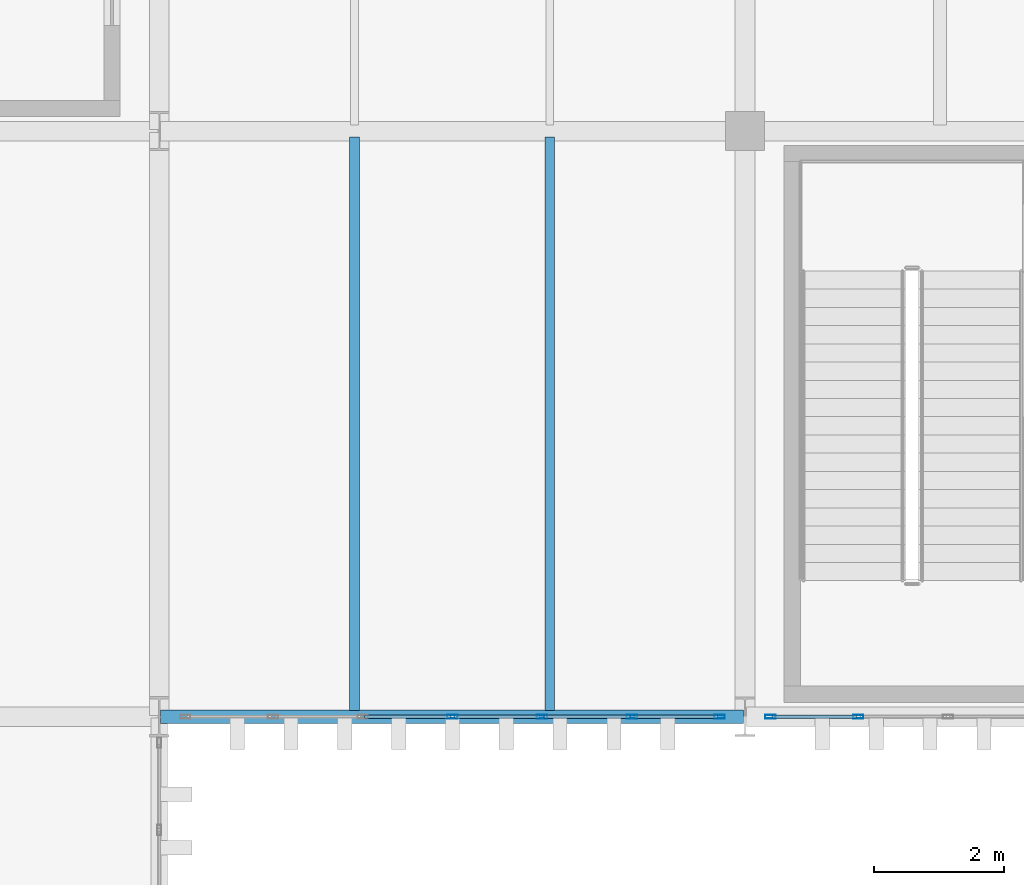
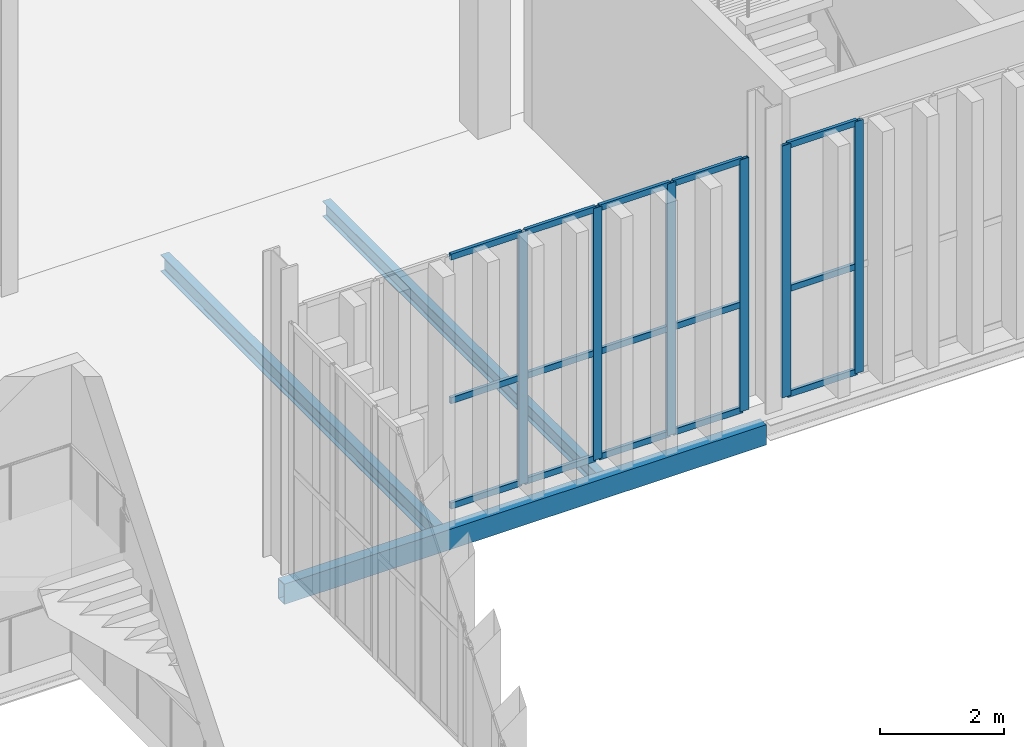
# One storey, part 112 of 211: 21 members, 3 beams, 2 elements without a shape of their own.
"""IFC4 building model written with IfcOpenShell, lengths in metres."""

import ifcopenshell
import ifcopenshell.guid

model = None  # the IFC model being written
_history = None  # IfcOwnerHistory: only IFC2X3 demands one
_inside = {}  # id of a spatial element -> (the spatial element, [elements in it])
_under = {}  # id of a project, library or spatial element -> (it, [spatial elements below it])
_declared = {}  # id of a project -> (the project, [libraries it declares])
_typed = {}  # id of a type object -> (the type object, [elements of that type])
_made_of = {}  # id of a material, layer set ... -> (it, [elements and type objects made of it])


def new_model(schema):
    """Start an empty IFC model of exactly this schema.

    Asked for "IFC4X3", IfcOpenShell would pick the latest addendum, in which some entities
    have other attributes; the version numbers below select the first issue.
    IFC2X3 requires an IfcOwnerHistory on every rooted entity: one is made here for all.
    """
    global model, _history
    if schema == "IFC4X3":
        model = ifcopenshell.file(schema_version=(4, 3, 0, 0))
    else:
        model = ifcopenshell.file(schema=schema)
    _inside.clear()
    _under.clear()
    _declared.clear()
    _typed.clear()
    _made_of.clear()
    _history = None
    if model.schema == "IFC2X3":
        org = make("IfcOrganization", Name="unknown")
        user = make(
            "IfcPersonAndOrganization",
            ThePerson=make("IfcPerson", FamilyName="unknown"),
            TheOrganization=org,
        )
        app = make(
            "IfcApplication",
            ApplicationDeveloper=org,
            Version="unknown",
            ApplicationFullName="unknown",
            ApplicationIdentifier="unknown",
        )
        _history = make(
            "IfcOwnerHistory",
            OwningUser=user,
            OwningApplication=app,
            ChangeAction="ADDED",
            CreationDate=0,
        )
    return model


def make(cls, **values):
    """One entity of the class cls with the attributes given. An attribute that is None is left unset."""
    return model.create_entity(
        cls, **{name: value for name, value in values.items() if value is not None}
    )


def rooted(cls, **values):
    """An entity with a GlobalId (a new one), such as an element, a storey or a relation."""
    return make(cls, GlobalId=ifcopenshell.guid.new(), OwnerHistory=_history, **values)


def si_unit(unit_type, name, prefix=None):
    """IfcSIUnit, for example si_unit("LENGTHUNIT", "METRE", prefix="MILLI")."""
    return make("IfcSIUnit", UnitType=unit_type, Prefix=prefix, Name=name)


def assignment(units):
    """IfcUnitAssignment: the units of a project."""
    return None if units is None else make("IfcUnitAssignment", Units=units)


def point(xyz):
    """IfcCartesianPoint."""
    return None if xyz is None else make("IfcCartesianPoint", Coordinates=xyz)


def direction(xyz):
    """IfcDirection."""
    return None if xyz is None else make("IfcDirection", DirectionRatios=xyz)


def frame(location, z_axis=None, x_axis=None):
    """IfcAxis2Placement3D, a coordinate frame: its origin and axes. An axis left out is left unset."""
    return make(
        "IfcAxis2Placement3D",
        Location=point(location),
        Axis=direction(z_axis),
        RefDirection=direction(x_axis),
    )


def frame_2d(location, x_axis=None):
    """IfcAxis2Placement2D, a coordinate frame in the plane: its origin and x axis."""
    return make(
        "IfcAxis2Placement2D", Location=point(location), RefDirection=direction(x_axis)
    )


def origin():
    """The frame at (0, 0, 0) with its axes left unset."""
    return frame((0.0, 0.0, 0.0))


def origin_2d():
    """The frame at (0, 0) in the plane with its x axis left unset."""
    return frame_2d((0.0, 0.0))


def place(relative_to, where):
    """IfcLocalPlacement: puts the frame where relative to a parent placement (None: the world)."""
    return make(
        "IfcLocalPlacement", PlacementRelTo=relative_to, RelativePlacement=where
    )


def context(
    kind, dimensions, precision=None, world=None, true_north=None, identifier=None
):
    """IfcGeometricRepresentationContext, for example the 3D "Model" context."""
    return make(
        "IfcGeometricRepresentationContext",
        ContextIdentifier=identifier,
        ContextType=kind,
        CoordinateSpaceDimension=dimensions,
        Precision=precision,
        WorldCoordinateSystem=world,
        TrueNorth=true_north,
    )


def subcontext(parent, identifier, kind, view, scale=None):
    """IfcGeometricRepresentationSubContext, for example "Body" below "Model"."""
    return make(
        "IfcGeometricRepresentationSubContext",
        ContextIdentifier=identifier,
        ContextType=kind,
        ParentContext=parent,
        TargetScale=scale,
        TargetView=view,
    )


def project(units=None, contexts=None):
    """IfcProject with its units and contexts."""
    return rooted(
        "IfcProject",
        Name="project",
        RepresentationContexts=contexts,
        UnitsInContext=assignment(units),
    )


def spatial(cls, under=None, at=None, **own):
    """A site, building, storey or space (cls), placed at a placement, below another one or the project."""
    s = rooted(cls, ObjectPlacement=at, **own)
    if under is not None:
        _under.setdefault(under.id(), (under, []))[1].append(s)
    return s


def profile(cls, at=None, kind="AREA", **sizes):
    """A parametric profile (cls). Its sizes go by their IFC names, for example OverallWidth=200.0."""
    return make(cls, ProfileType=kind, Position=at, **sizes)


def hollow_rectangle(**sizes):
    """IfcRectangleHollowProfileDef."""
    return profile("IfcRectangleHollowProfileDef", **sizes)


def i_section(**sizes):
    """IfcIShapeProfileDef."""
    return profile("IfcIShapeProfileDef", **sizes)


def extrude(swept, where, along, depth):
    """IfcExtrudedAreaSolid: the profile swept, set in the frame where, extruded along a direction by depth."""
    return make(
        "IfcExtrudedAreaSolid",
        SweptArea=swept,
        Position=where,
        ExtrudedDirection=direction(along),
        Depth=depth,
    )


def shape(context_of_items, identifier, shape_type, items):
    """IfcShapeRepresentation: the items that make up one representation, for example the "Body"."""
    return make(
        "IfcShapeRepresentation",
        ContextOfItems=context_of_items,
        RepresentationIdentifier=identifier,
        RepresentationType=shape_type,
        Items=items,
    )


def material(Name=None, Category=None):
    """IfcMaterial."""
    return make("IfcMaterial", Name=Name, Category=Category)


def layer(
    of_material, thickness, ventilated=None, Name=None, Category=None, Priority=None
):
    """IfcMaterialLayer: one layer of a wall or slab, of a material (None: an air gap)."""
    return make(
        "IfcMaterialLayer",
        Material=of_material,
        LayerThickness=thickness,
        IsVentilated=ventilated,
        Name=Name,
        Category=Category,
        Priority=Priority,
    )


def layer_set(layers, Name=None):
    """IfcMaterialLayerSet."""
    return make("IfcMaterialLayerSet", MaterialLayers=layers, LayerSetName=Name)


def material_profile(
    of_material, cross_section, Name=None, Category=None, Priority=None
):
    """IfcMaterialProfile: a cross section and its material."""
    return make(
        "IfcMaterialProfile",
        Name=Name,
        Material=of_material,
        Profile=cross_section,
        Priority=Priority,
        Category=Category,
    )


def profile_set(profiles, Name=None, composite=None):
    """IfcMaterialProfileSet."""
    return make(
        "IfcMaterialProfileSet",
        Name=Name,
        MaterialProfiles=profiles,
        CompositeProfile=composite,
    )


def made_of(thing, what):
    """Note that an element or type object is made of a material, layer set ...; save() writes the relation."""
    if what is not None:
        _made_of.setdefault(what.id(), (what, []))[1].append(thing)
    return thing


def type_object(cls, material=None, **own):
    """A type object (cls), such as IfcWallType, which elements share."""
    return made_of(rooted(cls, **own), material)


def element(
    cls,
    number,
    at=None,
    inside=None,
    cuts=None,
    type_object=None,
    material=None,
    context=None,
    identifier="Body",
    shape_type=None,
    held_by="IfcProductDefinitionShape",
    body=None,
    shapes=None,
    **own,
):
    """One element of the class cls, such as IfcWall. Its Tag is "e" and its number.

    at: its placement. inside: the storey or other place that contains it. cuts: it is an
    opening in that element (IfcRelVoidsElement). A single representation is given by context,
    identifier, shape_type and body (its items); several are given by shapes. held_by: the class
    of the entity that holds the representations. save() writes the other relations.
    """
    e = rooted(cls, Tag="e%d" % number, ObjectPlacement=at, **own)
    if body is not None:
        shapes = [shape(context, identifier, shape_type, body)]
    if shapes is not None:
        e.Representation = make(held_by, Representations=shapes)
    if inside is not None:
        _inside.setdefault(inside.id(), (inside, []))[1].append(e)
    if cuts is not None:
        rooted(
            "IfcRelVoidsElement", RelatingBuildingElement=cuts, RelatedOpeningElement=e
        )
    if type_object is not None:
        _typed.setdefault(type_object.id(), (type_object, []))[1].append(e)
    return made_of(e, material)


def aggregate(whole, parts):
    """IfcRelAggregates: a whole, such as a stair, and the parts it consists of."""
    return rooted("IfcRelAggregates", RelatingObject=whole, RelatedObjects=parts)


def save(model, path):
    """Write the relations noted so far, then the file.

    IfcRelAggregates (storeys below a building ...), IfcRelContainedInSpatialStructure (elements
    in a storey), IfcRelDefinesByType, IfcRelAssociatesMaterial and IfcRelDeclares: one each for
    every whole, place, type object, material and project.
    """
    for whole, parts in _under.values():
        aggregate(whole, parts)
    for where, things in _inside.values():
        rooted(
            "IfcRelContainedInSpatialStructure",
            RelatedElements=things,
            RelatingStructure=where,
        )
    for kind, things in _typed.values():
        rooted("IfcRelDefinesByType", RelatedObjects=things, RelatingType=kind)
    for what, things in _made_of.values():
        rooted("IfcRelAssociatesMaterial", RelatedObjects=things, RelatingMaterial=what)
    for by, libraries in _declared.values():
        rooted("IfcRelDeclares", RelatingContext=by, RelatedDefinitions=libraries)
    model.write(path)


model = new_model("IFC4")

# Units and contexts
model_context = context("Model", 3, precision=1e-05, world=origin(), true_north=direction((0.0, 1.0)))
body_context = subcontext(model_context, "Body", "Model", "MODEL_VIEW")
ifc_project = project(units=[si_unit("LENGTHUNIT", "METRE"), si_unit("AREAUNIT", "SQUARE_METRE"), si_unit("VOLUMEUNIT", "CUBIC_METRE"), si_unit("PLANEANGLEUNIT", "RADIAN"), si_unit("MASSUNIT", "GRAM", prefix="KILO")], contexts=[model_context])

# Site, building, storey
site_placement = place(None, origin())
site = spatial("IfcSite", under=ifc_project, at=site_placement, CompositionType="ELEMENT")
building_placement = place(site_placement, origin())
building = spatial("IfcBuilding", under=site, at=building_placement, Name="Barlavento Convention Centre", CompositionType="ELEMENT")
storey_placement = place(building_placement, frame((0.0, 0.0, 6.0)))
storey = spatial("IfcBuildingStorey", under=building, at=storey_placement, Name="L01", CompositionType="ELEMENT", Elevation=6.0)

# Curtain wall, members
ifc_material_1 = material(Name="Powder-coated aluminium and Low-E glass", Category="aluminium")
ifc_layer = layer(ifc_material_1, 0.195068359375)
ifc_layer_set = layer_set([ifc_layer], Name="ARC-CW-PATIO-A")
curtain_wall_type = type_object("IfcCurtainWallType", Name="ARC-CW-PATIO-A", PredefinedType="NOTDEFINED", material=ifc_layer_set)
curtain_wall_1_placement = place(storey_placement, origin())
curtain_wall_1 = element("IfcCurtainWall", 1, at=curtain_wall_1_placement, inside=storey, type_object=curtain_wall_type, Name="L01 unitised curtain wall CW11", PredefinedType="NOTDEFINED")
ifc_material_2 = material(Name="Powder-coated aluminium", Category="aluminium")
ifc_material_profile_1 = material_profile(ifc_material_2, hollow_rectangle(XDim=0.06005859375, YDim=0.159912109375, WallThickness=0.00390625, at=origin_2d()), Name="AL-MULL 60x160x4")
ifc_profile_set_1 = profile_set([ifc_material_profile_1], Name="Powder-coated aluminium")
member_type_1 = type_object("IfcMemberType", Name="ARC-CWM-60X160", PredefinedType="MULLION", material=ifc_profile_set_1)
member_1_placement = place(storey_placement, frame((139.5048828125, 90.0, 0.0), z_axis=(0.0, 0.0, 1.0), x_axis=(0.0, 1.0, 0.0)))
member_1 = element("IfcMember", 2, at=member_1_placement, type_object=member_type_1, Name="CW11 mullion 4", PredefinedType="MULLION", context=body_context, shape_type="SweptSolid", body=[
    extrude(hollow_rectangle(XDim=0.06005859375, YDim=0.159912109375, WallThickness=0.00390625, at=origin_2d()), origin(), (0.0, 0.0, 1.0), 4.949951171875),
])
member_2_placement = place(storey_placement, frame((140.88330078125, 90.0, 0.0), z_axis=(0.0, 0.0, 1.0), x_axis=(0.0, 1.0, 0.0)))
member_2 = element("IfcMember", 3, at=member_2_placement, type_object=member_type_1, Name="CW11 mullion 5", PredefinedType="MULLION", context=body_context, shape_type="SweptSolid", body=[
    extrude(hollow_rectangle(XDim=0.06005859375, YDim=0.159912109375, WallThickness=0.00390625, at=origin_2d()), origin(), (0.0, 0.0, 1.0), 4.949951171875),
])
member_3_placement = place(storey_placement, frame((142.26171875, 90.0, 0.0), z_axis=(0.0, 0.0, 1.0), x_axis=(0.0, 1.0, 0.0)))
member_3 = element("IfcMember", 4, at=member_3_placement, type_object=member_type_1, Name="CW11 mullion 6", PredefinedType="MULLION", context=body_context, shape_type="SweptSolid", body=[
    extrude(hollow_rectangle(XDim=0.06005859375, YDim=0.159912109375, WallThickness=0.00390625, at=origin_2d()), origin(), (0.0, 0.0, 1.0), 4.949951171875),
])
member_4_placement = place(storey_placement, frame((143.610107421875, 90.0, 0.0), z_axis=(0.0, 0.0, 1.0), x_axis=(0.0, 1.0, 0.0)))
member_4 = element("IfcMember", 5, at=member_4_placement, type_object=member_type_1, Name="CW11 mullion 7", PredefinedType="MULLION", context=body_context, shape_type="SweptSolid", body=[
    extrude(hollow_rectangle(XDim=0.06005859375, YDim=0.159912109375, WallThickness=0.00390625, at=origin_2d()), origin(), (0.0, 0.0, 1.0), 4.949951171875),
])

curtain_wall_2_placement = place(storey_placement, origin())
curtain_wall_2 = element("IfcCurtainWall", 6, at=curtain_wall_2_placement, inside=storey, type_object=curtain_wall_type, Name="L01 unitised curtain wall CW11", PredefinedType="NOTDEFINED")
member_5_placement = place(storey_placement, frame((144.389892578125, 90.0, 0.0), z_axis=(0.0, 0.0, 1.0), x_axis=(0.0, 1.0, 0.0)))
member_5 = element("IfcMember", 7, at=member_5_placement, type_object=member_type_1, Name="CW11 mullion 1", PredefinedType="MULLION", context=body_context, shape_type="SweptSolid", body=[
    extrude(hollow_rectangle(XDim=0.06005859375, YDim=0.159912109375, WallThickness=0.00390625, at=origin_2d()), origin(), (0.0, 0.0, 1.0), 4.949951171875),
])
member_6_placement = place(storey_placement, frame((145.739990234375, 90.0, 0.0), z_axis=(0.0, 0.0, 1.0), x_axis=(0.0, 1.0, 0.0)))
member_6 = element("IfcMember", 8, at=member_6_placement, type_object=member_type_1, Name="CW11 mullion 2", PredefinedType="MULLION", context=body_context, shape_type="SweptSolid", body=[
    extrude(hollow_rectangle(XDim=0.06005859375, YDim=0.159912109375, WallThickness=0.00390625, at=origin_2d()), origin(), (0.0, 0.0, 1.0), 4.949951171875),
])

# Member
ifc_material_profile_2 = material_profile(ifc_material_2, hollow_rectangle(XDim=0.06005859375, YDim=0.1201171875, WallThickness=0.00390625, at=origin_2d()), Name="AL-TRAN 60x120x4")
ifc_profile_set_2 = profile_set([ifc_material_profile_2], Name="Powder-coated aluminium")
member_type_2 = type_object("IfcMemberType", Name="ARC-CWT-60X120", PredefinedType="USERDEFINED", material=ifc_profile_set_2)
member_7_placement = place(storey_placement, frame((138.15673828125, 90.0, 0.030029296875), z_axis=(1.0, 0.0, 0.0), x_axis=(0.0, 1.0, 0.0)))
member_7 = element("IfcMember", 9, at=member_7_placement, type_object=member_type_2, Name="CW11 transom 3.1", ObjectType="TRANSOM", PredefinedType="USERDEFINED", context=body_context, shape_type="SweptSolid", body=[
    extrude(hollow_rectangle(XDim=0.06005859375, YDim=0.1201171875, WallThickness=0.00390625, at=origin_2d()), origin(), (0.0, 0.0, 1.0), 1.318359375),
])

member_8_placement = place(storey_placement, frame((138.15673828125, 90.0, 2.10009765625), z_axis=(1.0, 0.0, 0.0), x_axis=(0.0, 1.0, 0.0)))
member_8 = element("IfcMember", 10, at=member_8_placement, type_object=member_type_2, Name="CW11 transom 3.2", ObjectType="TRANSOM", PredefinedType="USERDEFINED", context=body_context, shape_type="SweptSolid", body=[
    extrude(hollow_rectangle(XDim=0.06005859375, YDim=0.1201171875, WallThickness=0.00390625, at=origin_2d()), origin(), (0.0, 0.0, 1.0), 1.318359375),
])

member_9_placement = place(storey_placement, frame((138.15673828125, 90.0, 4.919921875), z_axis=(1.0, 0.0, 0.0), x_axis=(0.0, 1.0, 0.0)))
member_9 = element("IfcMember", 11, at=member_9_placement, type_object=member_type_2, Name="CW11 transom 3.3", ObjectType="TRANSOM", PredefinedType="USERDEFINED", context=body_context, shape_type="SweptSolid", body=[
    extrude(hollow_rectangle(XDim=0.06005859375, YDim=0.1201171875, WallThickness=0.00390625, at=origin_2d()), origin(), (0.0, 0.0, 1.0), 1.318359375),
])

member_10_placement = place(storey_placement, frame((139.534912109375, 90.0, 0.030029296875), z_axis=(1.0, 0.0, 0.0), x_axis=(0.0, 1.0, 0.0)))
member_10 = element("IfcMember", 12, at=member_10_placement, type_object=member_type_2, Name="CW11 transom 4.1", ObjectType="TRANSOM", PredefinedType="USERDEFINED", context=body_context, shape_type="SweptSolid", body=[
    extrude(hollow_rectangle(XDim=0.06005859375, YDim=0.1201171875, WallThickness=0.00390625, at=origin_2d()), origin(), (0.0, 0.0, 1.0), 1.318359375),
])

member_11_placement = place(storey_placement, frame((139.534912109375, 90.0, 2.10009765625), z_axis=(1.0, 0.0, 0.0), x_axis=(0.0, 1.0, 0.0)))
member_11 = element("IfcMember", 13, at=member_11_placement, type_object=member_type_2, Name="CW11 transom 4.2", ObjectType="TRANSOM", PredefinedType="USERDEFINED", context=body_context, shape_type="SweptSolid", body=[
    extrude(hollow_rectangle(XDim=0.06005859375, YDim=0.1201171875, WallThickness=0.00390625, at=origin_2d()), origin(), (0.0, 0.0, 1.0), 1.318359375),
])

member_12_placement = place(storey_placement, frame((139.534912109375, 90.0, 4.919921875), z_axis=(1.0, 0.0, 0.0), x_axis=(0.0, 1.0, 0.0)))
member_12 = element("IfcMember", 14, at=member_12_placement, type_object=member_type_2, Name="CW11 transom 4.3", ObjectType="TRANSOM", PredefinedType="USERDEFINED", context=body_context, shape_type="SweptSolid", body=[
    extrude(hollow_rectangle(XDim=0.06005859375, YDim=0.1201171875, WallThickness=0.00390625, at=origin_2d()), origin(), (0.0, 0.0, 1.0), 1.318359375),
])

member_13_placement = place(storey_placement, frame((140.913330078125, 90.0, 0.030029296875), z_axis=(1.0, 0.0, 0.0), x_axis=(0.0, 1.0, 0.0)))
member_13 = element("IfcMember", 15, at=member_13_placement, type_object=member_type_2, Name="CW11 transom 5.1", ObjectType="TRANSOM", PredefinedType="USERDEFINED", context=body_context, shape_type="SweptSolid", body=[
    extrude(hollow_rectangle(XDim=0.06005859375, YDim=0.1201171875, WallThickness=0.00390625, at=origin_2d()), origin(), (0.0, 0.0, 1.0), 1.318359375),
])

member_14_placement = place(storey_placement, frame((140.913330078125, 90.0, 2.10009765625), z_axis=(1.0, 0.0, 0.0), x_axis=(0.0, 1.0, 0.0)))
member_14 = element("IfcMember", 16, at=member_14_placement, type_object=member_type_2, Name="CW11 transom 5.2", ObjectType="TRANSOM", PredefinedType="USERDEFINED", context=body_context, shape_type="SweptSolid", body=[
    extrude(hollow_rectangle(XDim=0.06005859375, YDim=0.1201171875, WallThickness=0.00390625, at=origin_2d()), origin(), (0.0, 0.0, 1.0), 1.318359375),
])

member_15_placement = place(storey_placement, frame((140.913330078125, 90.0, 4.919921875), z_axis=(1.0, 0.0, 0.0), x_axis=(0.0, 1.0, 0.0)))
member_15 = element("IfcMember", 17, at=member_15_placement, type_object=member_type_2, Name="CW11 transom 5.3", ObjectType="TRANSOM", PredefinedType="USERDEFINED", context=body_context, shape_type="SweptSolid", body=[
    extrude(hollow_rectangle(XDim=0.06005859375, YDim=0.1201171875, WallThickness=0.00390625, at=origin_2d()), origin(), (0.0, 0.0, 1.0), 1.318359375),
])

member_16_placement = place(storey_placement, frame((142.291748046875, 90.0, 0.030029296875), z_axis=(1.0, 0.0, 0.0), x_axis=(0.0, 1.0, 0.0)))
member_16 = element("IfcMember", 18, at=member_16_placement, type_object=member_type_2, Name="CW11 transom 6.1", ObjectType="TRANSOM", PredefinedType="USERDEFINED", context=body_context, shape_type="SweptSolid", body=[
    extrude(hollow_rectangle(XDim=0.06005859375, YDim=0.1201171875, WallThickness=0.00390625, at=origin_2d()), origin(), (0.0, 0.0, 1.0), 1.288330078125),
])

member_17_placement = place(storey_placement, frame((142.291748046875, 90.0, 2.10009765625), z_axis=(1.0, 0.0, 0.0), x_axis=(0.0, 1.0, 0.0)))
member_17 = element("IfcMember", 19, at=member_17_placement, type_object=member_type_2, Name="CW11 transom 6.2", ObjectType="TRANSOM", PredefinedType="USERDEFINED", context=body_context, shape_type="SweptSolid", body=[
    extrude(hollow_rectangle(XDim=0.06005859375, YDim=0.1201171875, WallThickness=0.00390625, at=origin_2d()), origin(), (0.0, 0.0, 1.0), 1.288330078125),
])

member_18_placement = place(storey_placement, frame((142.291748046875, 90.0, 4.919921875), z_axis=(1.0, 0.0, 0.0), x_axis=(0.0, 1.0, 0.0)))
member_18 = element("IfcMember", 20, at=member_18_placement, type_object=member_type_2, Name="CW11 transom 6.3", ObjectType="TRANSOM", PredefinedType="USERDEFINED", context=body_context, shape_type="SweptSolid", body=[
    extrude(hollow_rectangle(XDim=0.06005859375, YDim=0.1201171875, WallThickness=0.00390625, at=origin_2d()), origin(), (0.0, 0.0, 1.0), 1.288330078125),
])

aggregate(curtain_wall_1, [member_1, member_2, member_3, member_4, member_7, member_8, member_9, member_10, member_11, member_12, member_13, member_14, member_15, member_16, member_17, member_18])

member_19_placement = place(storey_placement, frame((144.419921875, 90.0, 0.030029296875), z_axis=(1.0, 0.0, 0.0), x_axis=(0.0, 1.0, 0.0)))
member_19 = element("IfcMember", 21, at=member_19_placement, type_object=member_type_2, Name="CW11 transom 1.1", ObjectType="TRANSOM", PredefinedType="USERDEFINED", context=body_context, shape_type="SweptSolid", body=[
    extrude(hollow_rectangle(XDim=0.06005859375, YDim=0.1201171875, WallThickness=0.00390625, at=origin_2d()), origin(), (0.0, 0.0, 1.0), 1.2900390625),
])

member_20_placement = place(storey_placement, frame((144.419921875, 90.0, 2.10009765625), z_axis=(1.0, 0.0, 0.0), x_axis=(0.0, 1.0, 0.0)))
member_20 = element("IfcMember", 22, at=member_20_placement, type_object=member_type_2, Name="CW11 transom 1.2", ObjectType="TRANSOM", PredefinedType="USERDEFINED", context=body_context, shape_type="SweptSolid", body=[
    extrude(hollow_rectangle(XDim=0.06005859375, YDim=0.1201171875, WallThickness=0.00390625, at=origin_2d()), origin(), (0.0, 0.0, 1.0), 1.2900390625),
])

member_21_placement = place(storey_placement, frame((144.419921875, 90.0, 4.919921875), z_axis=(1.0, 0.0, 0.0), x_axis=(0.0, 1.0, 0.0)))
member_21 = element("IfcMember", 23, at=member_21_placement, type_object=member_type_2, Name="CW11 transom 1.3", ObjectType="TRANSOM", PredefinedType="USERDEFINED", context=body_context, shape_type="SweptSolid", body=[
    extrude(hollow_rectangle(XDim=0.06005859375, YDim=0.1201171875, WallThickness=0.00390625, at=origin_2d()), origin(), (0.0, 0.0, 1.0), 1.2900390625),
])

aggregate(curtain_wall_2, [member_5, member_6, member_19, member_20, member_21])

# Beams
ifc_material_3 = material(Name="Steel S355", Category="steel")
ifc_material_profile_3 = material_profile(ifc_material_3, i_section(OverallWidth=0.14990234375, OverallDepth=0.300048828125, WebThickness=0.007080078125, FlangeThickness=0.0107421875, FilletRadius=0.014892578125, at=origin_2d()), Name="IPE 300")
ifc_profile_set_3 = profile_set([ifc_material_profile_3], Name="Steel S355")
beam_type_1 = type_object("IfcBeamType", Name="STR-BM-JST-IPE300", PredefinedType="JOIST", material=ifc_profile_set_3)
beam_1_placement = place(storey_placement, frame((141.0, 90.094970703125, -0.510009765625), z_axis=(0.0, 1.0, 0.0), x_axis=(-1.0, 0.0, 0.0)))
element("IfcBeam", 24, at=beam_1_placement, inside=storey, type_object=beam_type_1, Name="L01 composite floor joist SJ07", PredefinedType="JOIST", context=body_context, shape_type="SweptSolid", body=[
    extrude(i_section(OverallWidth=0.14990234375, OverallDepth=0.300048828125, WebThickness=0.007080078125, FlangeThickness=0.0107421875, FilletRadius=0.014892578125, at=origin_2d()), origin(), (0.0, 0.0, 1.0), 8.81005859375),
])
ifc_material_profile_4 = material_profile(ifc_material_3, i_section(OverallWidth=0.159912109375, OverallDepth=0.330078125, WebThickness=0.007568359375, FlangeThickness=0.011474609375, FilletRadius=0.01806640625, at=origin_2d()), Name="IPE 330")
ifc_profile_set_4 = profile_set([ifc_material_profile_4], Name="Steel S355")
beam_type_2 = type_object("IfcBeamType", Name="STR-BM-JST-IPE330", PredefinedType="JOIST", material=ifc_profile_set_4)
beam_2_placement = place(storey_placement, frame((138.0, 90.094970703125, -0.52490234375), z_axis=(0.0, 1.0, 0.0), x_axis=(-1.0, 0.0, 0.0)))
element("IfcBeam", 25, at=beam_2_placement, inside=storey, type_object=beam_type_2, Name="L01 composite floor joist SJ06", PredefinedType="JOIST", context=body_context, shape_type="SweptSolid", body=[
    extrude(i_section(OverallWidth=0.159912109375, OverallDepth=0.330078125, WebThickness=0.007568359375, FlangeThickness=0.011474609375, FilletRadius=0.01806640625, at=origin_2d()), origin(), (0.0, 0.0, 1.0), 8.81005859375),
])
ifc_material_profile_5 = material_profile(ifc_material_3, hollow_rectangle(XDim=0.199951171875, YDim=0.39990234375, WallThickness=0.01611328125, at=origin_2d()), Name="RHS 400x200x16.0")
ifc_profile_set_5 = profile_set([ifc_material_profile_5], Name="Steel S355")
beam_type_3 = type_object("IfcBeamType", Name="STR-BM-SPN-RHS400", PredefinedType="SPANDREL", material=ifc_profile_set_5)
beam_3_placement = place(storey_placement, frame((135.02001953125, 90.0, -0.56005859375), z_axis=(1.0, 0.0, 0.0), x_axis=(0.0, 1.0, 0.0)))
element("IfcBeam", 26, at=beam_3_placement, inside=storey, type_object=beam_type_3, Name="L01 primary girder SP06", PredefinedType="SPANDREL", context=body_context, shape_type="SweptSolid", body=[
    extrude(hollow_rectangle(XDim=0.199951171875, YDim=0.39990234375, WallThickness=0.01611328125, at=origin_2d()), origin(), (0.0, 0.0, 1.0), 8.9599609375),
])

save(model, "model.ifc")
